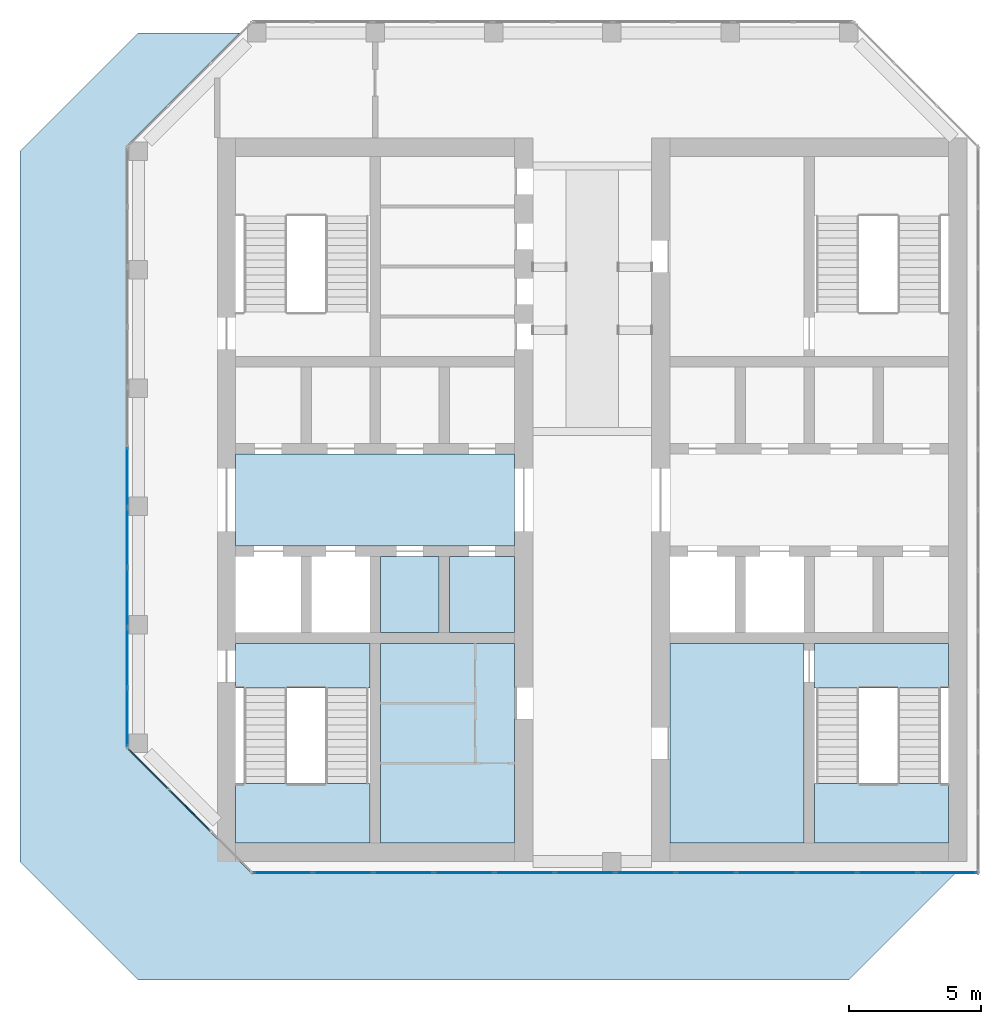
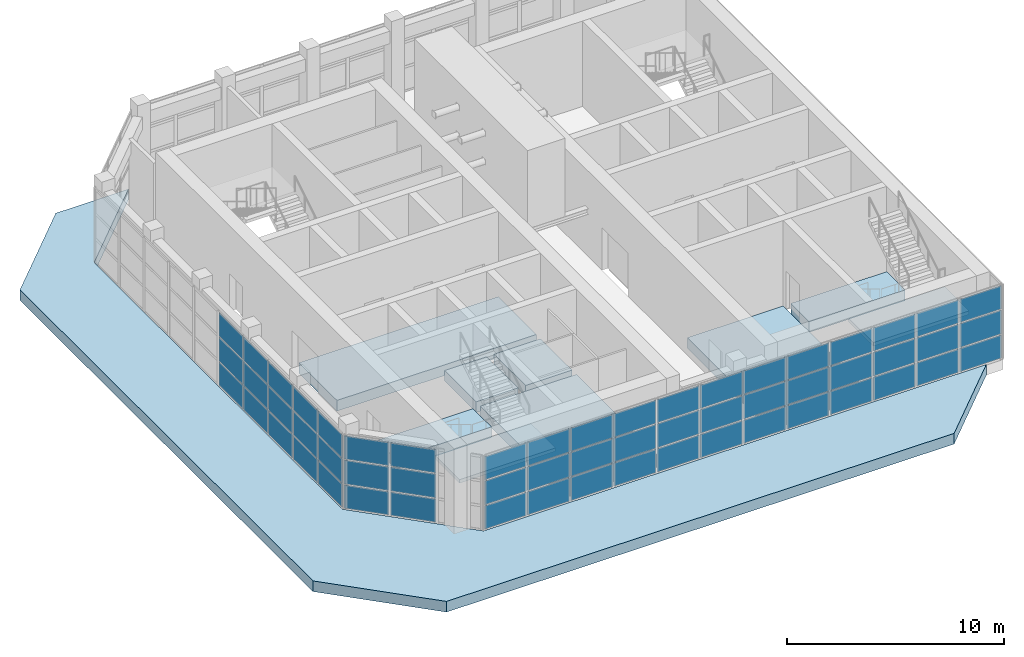
# One storey, part 7 of 13: 57 plates, 10 slabs, 5 elements without a shape of their own.
"""IFC4 building model written with IfcOpenShell, lengths in metres."""

from ifc_helpers import new_model, si_unit, direction, frame, origin, origin_2d, place, context, subcontext, project, spatial, polyline, rectangle, outline, extrude, material, layer, layer_set, type_object, element, aggregate, save


model = new_model("IFC4")

# Units and contexts
model_context = context("Model", 3, precision=1e-05, world=origin(), true_north=direction((0.0, 1.0)))
body_context = subcontext(model_context, "Body", "Model", "MODEL_VIEW")
ifc_project = project(units=[si_unit("LENGTHUNIT", "METRE"), si_unit("AREAUNIT", "SQUARE_METRE"), si_unit("VOLUMEUNIT", "CUBIC_METRE"), si_unit("PLANEANGLEUNIT", "RADIAN"), si_unit("MASSUNIT", "GRAM", prefix="KILO")], contexts=[model_context])

# Site, building, storey
site_placement = place(None, origin())
site = spatial("IfcSite", under=ifc_project, at=site_placement, CompositionType="ELEMENT")
building_placement = place(site_placement, origin())
building = spatial("IfcBuilding", under=site, at=building_placement, Name="Corbel Stack Research Tower", CompositionType="ELEMENT")
storey_placement = place(building_placement, frame((0.0, 0.0, 311.800048828125)))
storey = spatial("IfcBuildingStorey", under=building, at=storey_placement, Name="L70", CompositionType="ELEMENT", Elevation=311.800048828125)

# Curtain wall, plates
ifc_material_1 = material(Name="Aluminium and glass", Category="aluminium")
curtain_wall_type = type_object("IfcCurtainWallType", Name="CW4C damper hall glazing wall, corner", PredefinedType="NOTDEFINED", material=ifc_material_1)
curtain_wall_1_placement = place(storey_placement, origin())
curtain_wall_1 = element("IfcCurtainWall", 1, at=curtain_wall_1_placement, inside=storey, type_object=curtain_wall_type, Name="Damper hall curtain wall L70 1", PredefinedType="NOTDEFINED")
ifc_material_2 = material(Name="Glass, laminated amber tint", Category="glass")
ifc_layer_1 = layer(ifc_material_2, 0.031982421875)
ifc_layer_set_1 = layer_set([ifc_layer_1], Name="Glass, laminated amber tint")
plate_type = type_object("IfcPlateType", Name="CW4 amber laminated glass panel 32", PredefinedType="CURTAIN_PANEL", material=ifc_layer_set_1)
plate_1_placement = place(storey_placement, frame((-11.547119140625, -7.047119140625, 0.059814453125), z_axis=(0.0, 0.0, 1.0), x_axis=(-0.707106781187, 0.707106781187, 0.0)))
plate_1 = element("IfcPlate", 2, at=plate_1_placement, type_object=plate_type, Name="CW4C panel 2.1", PredefinedType="CURTAIN_PANEL", context=body_context, shape_type="SweptSolid", body=[
    extrude(rectangle(XDim=2.17724609375, YDim=0.031982421875, at=origin_2d()), origin(), (0.0, 0.0, 1.0), 1.31005859375),
])
plate_2_placement = place(storey_placement, frame((-11.547119140625, -7.047119140625, 1.4296875), z_axis=(0.0, 0.0, 1.0), x_axis=(-0.707106781187, 0.707106781187, 0.0)))
plate_2 = element("IfcPlate", 3, at=plate_2_placement, type_object=plate_type, Name="CW4C panel 2.2", PredefinedType="CURTAIN_PANEL", context=body_context, shape_type="SweptSolid", body=[
    extrude(rectangle(XDim=2.17724609375, YDim=0.031982421875, at=origin_2d()), origin(), (0.0, 0.0, 1.0), 1.340087890625),
])
plate_3_placement = place(storey_placement, frame((-11.547119140625, -7.047119140625, 2.829833984375), z_axis=(0.0, 0.0, 1.0), x_axis=(-0.707106781187, 0.707106781187, 0.0)))
plate_3 = element("IfcPlate", 4, at=plate_3_placement, type_object=plate_type, Name="CW4C panel 2.3", PredefinedType="CURTAIN_PANEL", context=body_context, shape_type="SweptSolid", body=[
    extrude(rectangle(XDim=2.17724609375, YDim=0.031982421875, at=origin_2d()), origin(), (0.0, 0.0, 1.0), 1.31005859375),
])
plate_4_placement = place(storey_placement, frame((-13.118408203125, -5.4755859375, 0.059814453125), z_axis=(0.0, 0.0, 1.0), x_axis=(-0.707106781187, 0.707106781187, 0.0)))
plate_4 = element("IfcPlate", 5, at=plate_4_placement, type_object=plate_type, Name="CW4C panel 3.1", PredefinedType="CURTAIN_PANEL", context=body_context, shape_type="SweptSolid", body=[
    extrude(rectangle(XDim=2.147216796875, YDim=0.031982421875, at=origin_2d()), origin(), (0.0, 0.0, 1.0), 1.31005859375),
])
plate_5_placement = place(storey_placement, frame((-13.118408203125, -5.4755859375, 1.4296875), z_axis=(0.0, 0.0, 1.0), x_axis=(-0.707106781187, 0.707106781187, 0.0)))
plate_5 = element("IfcPlate", 6, at=plate_5_placement, type_object=plate_type, Name="CW4C panel 3.2", PredefinedType="CURTAIN_PANEL", context=body_context, shape_type="SweptSolid", body=[
    extrude(rectangle(XDim=2.147216796875, YDim=0.031982421875, at=origin_2d()), origin(), (0.0, 0.0, 1.0), 1.340087890625),
])
plate_6_placement = place(storey_placement, frame((-13.118408203125, -5.4755859375, 2.829833984375), z_axis=(0.0, 0.0, 1.0), x_axis=(-0.707106781187, 0.707106781187, 0.0)))
plate_6 = element("IfcPlate", 7, at=plate_6_placement, type_object=plate_type, Name="CW4C panel 3.3", PredefinedType="CURTAIN_PANEL", context=body_context, shape_type="SweptSolid", body=[
    extrude(rectangle(XDim=2.147216796875, YDim=0.031982421875, at=origin_2d()), origin(), (0.0, 0.0, 1.0), 1.31005859375),
])
aggregate(curtain_wall_1, [plate_1, plate_2, plate_3, plate_4, plate_5, plate_6])

curtain_wall_2_placement = place(storey_placement, origin())
curtain_wall_2 = element("IfcCurtainWall", 8, at=curtain_wall_2_placement, inside=storey, type_object=curtain_wall_type, Name="Damper hall curtain wall L70 2", PredefinedType="NOTDEFINED")
plate_7_placement = place(storey_placement, frame((-13.919921875, -3.5166015625, 0.059814453125), z_axis=(0.0, 0.0, 1.0), x_axis=(0.0, 1.0, 0.0)))
plate_7 = element("IfcPlate", 9, at=plate_7_placement, type_object=plate_type, Name="CW4C panel 1.1", PredefinedType="CURTAIN_PANEL", context=body_context, shape_type="SweptSolid", body=[
    extrude(rectangle(XDim=2.19482421875, YDim=0.031982421875, at=origin_2d()), origin(), (0.0, 0.0, 1.0), 1.31005859375),
])
plate_8_placement = place(storey_placement, frame((-13.919921875, -3.5166015625, 1.4296875), z_axis=(0.0, 0.0, 1.0), x_axis=(0.0, 1.0, 0.0)))
plate_8 = element("IfcPlate", 10, at=plate_8_placement, type_object=plate_type, Name="CW4C panel 1.2", PredefinedType="CURTAIN_PANEL", context=body_context, shape_type="SweptSolid", body=[
    extrude(rectangle(XDim=2.19482421875, YDim=0.031982421875, at=origin_2d()), origin(), (0.0, 0.0, 1.0), 1.340087890625),
])
plate_9_placement = place(storey_placement, frame((-13.919921875, -3.5166015625, 2.829833984375), z_axis=(0.0, 0.0, 1.0), x_axis=(0.0, 1.0, 0.0)))
plate_9 = element("IfcPlate", 11, at=plate_9_placement, type_object=plate_type, Name="CW4C panel 1.3", PredefinedType="CURTAIN_PANEL", context=body_context, shape_type="SweptSolid", body=[
    extrude(rectangle(XDim=2.19482421875, YDim=0.031982421875, at=origin_2d()), origin(), (0.0, 0.0, 1.0), 1.31005859375),
])
plate_10_placement = place(storey_placement, frame((-13.919921875, -1.246826171875, 0.059814453125), z_axis=(0.0, 0.0, 1.0), x_axis=(0.0, 1.0, 0.0)))
plate_10 = element("IfcPlate", 12, at=plate_10_placement, type_object=plate_type, Name="CW4C panel 2.1", PredefinedType="CURTAIN_PANEL", context=body_context, shape_type="SweptSolid", body=[
    extrude(rectangle(XDim=2.224853515625, YDim=0.031982421875, at=origin_2d()), origin(), (0.0, 0.0, 1.0), 1.31005859375),
])
plate_11_placement = place(storey_placement, frame((-13.919921875, -1.246826171875, 1.4296875), z_axis=(0.0, 0.0, 1.0), x_axis=(0.0, 1.0, 0.0)))
plate_11 = element("IfcPlate", 13, at=plate_11_placement, type_object=plate_type, Name="CW4C panel 2.2", PredefinedType="CURTAIN_PANEL", context=body_context, shape_type="SweptSolid", body=[
    extrude(rectangle(XDim=2.224853515625, YDim=0.031982421875, at=origin_2d()), origin(), (0.0, 0.0, 1.0), 1.340087890625),
])
plate_12_placement = place(storey_placement, frame((-13.919921875, -1.246826171875, 2.829833984375), z_axis=(0.0, 0.0, 1.0), x_axis=(0.0, 1.0, 0.0)))
plate_12 = element("IfcPlate", 14, at=plate_12_placement, type_object=plate_type, Name="CW4C panel 2.3", PredefinedType="CURTAIN_PANEL", context=body_context, shape_type="SweptSolid", body=[
    extrude(rectangle(XDim=2.224853515625, YDim=0.031982421875, at=origin_2d()), origin(), (0.0, 0.0, 1.0), 1.31005859375),
])
plate_13_placement = place(storey_placement, frame((-13.919921875, 1.0380859375, 0.059814453125), z_axis=(0.0, 0.0, 1.0), x_axis=(0.0, 1.0, 0.0)))
plate_13 = element("IfcPlate", 15, at=plate_13_placement, type_object=plate_type, Name="CW4C panel 3.1", PredefinedType="CURTAIN_PANEL", context=body_context, shape_type="SweptSolid", body=[
    extrude(rectangle(XDim=2.224853515625, YDim=0.031982421875, at=origin_2d()), origin(), (0.0, 0.0, 1.0), 1.31005859375),
])
plate_14_placement = place(storey_placement, frame((-13.919921875, 1.0380859375, 1.4296875), z_axis=(0.0, 0.0, 1.0), x_axis=(0.0, 1.0, 0.0)))
plate_14 = element("IfcPlate", 16, at=plate_14_placement, type_object=plate_type, Name="CW4C panel 3.2", PredefinedType="CURTAIN_PANEL", context=body_context, shape_type="SweptSolid", body=[
    extrude(rectangle(XDim=2.224853515625, YDim=0.031982421875, at=origin_2d()), origin(), (0.0, 0.0, 1.0), 1.340087890625),
])
plate_15_placement = place(storey_placement, frame((-13.919921875, 1.0380859375, 2.829833984375), z_axis=(0.0, 0.0, 1.0), x_axis=(0.0, 1.0, 0.0)))
plate_15 = element("IfcPlate", 17, at=plate_15_placement, type_object=plate_type, Name="CW4C panel 3.3", PredefinedType="CURTAIN_PANEL", context=body_context, shape_type="SweptSolid", body=[
    extrude(rectangle(XDim=2.224853515625, YDim=0.031982421875, at=origin_2d()), origin(), (0.0, 0.0, 1.0), 1.31005859375),
])
plate_16_placement = place(storey_placement, frame((-13.919921875, 3.32275390625, 0.059814453125), z_axis=(0.0, 0.0, 1.0), x_axis=(0.0, 1.0, 0.0)))
plate_16 = element("IfcPlate", 18, at=plate_16_placement, type_object=plate_type, Name="CW4C panel 4.1", PredefinedType="CURTAIN_PANEL", context=body_context, shape_type="SweptSolid", body=[
    extrude(rectangle(XDim=2.224853515625, YDim=0.031982421875, at=origin_2d()), origin(), (0.0, 0.0, 1.0), 1.31005859375),
])
plate_17_placement = place(storey_placement, frame((-13.919921875, 3.32275390625, 1.4296875), z_axis=(0.0, 0.0, 1.0), x_axis=(0.0, 1.0, 0.0)))
plate_17 = element("IfcPlate", 19, at=plate_17_placement, type_object=plate_type, Name="CW4C panel 4.2", PredefinedType="CURTAIN_PANEL", context=body_context, shape_type="SweptSolid", body=[
    extrude(rectangle(XDim=2.224853515625, YDim=0.031982421875, at=origin_2d()), origin(), (0.0, 0.0, 1.0), 1.340087890625),
])
plate_18_placement = place(storey_placement, frame((-13.919921875, 3.32275390625, 2.829833984375), z_axis=(0.0, 0.0, 1.0), x_axis=(0.0, 1.0, 0.0)))
plate_18 = element("IfcPlate", 20, at=plate_18_placement, type_object=plate_type, Name="CW4C panel 4.3", PredefinedType="CURTAIN_PANEL", context=body_context, shape_type="SweptSolid", body=[
    extrude(rectangle(XDim=2.224853515625, YDim=0.031982421875, at=origin_2d()), origin(), (0.0, 0.0, 1.0), 1.31005859375),
])
plate_19_placement = place(storey_placement, frame((-13.919921875, 5.607666015625, 0.059814453125), z_axis=(0.0, 0.0, 1.0), x_axis=(0.0, 1.0, 0.0)))
plate_19 = element("IfcPlate", 21, at=plate_19_placement, type_object=plate_type, Name="CW4C panel 5.1", PredefinedType="CURTAIN_PANEL", context=body_context, shape_type="SweptSolid", body=[
    extrude(rectangle(XDim=2.224853515625, YDim=0.031982421875, at=origin_2d()), origin(), (0.0, 0.0, 1.0), 1.31005859375),
])
plate_20_placement = place(storey_placement, frame((-13.919921875, 5.607666015625, 1.4296875), z_axis=(0.0, 0.0, 1.0), x_axis=(0.0, 1.0, 0.0)))
plate_20 = element("IfcPlate", 22, at=plate_20_placement, type_object=plate_type, Name="CW4C panel 5.2", PredefinedType="CURTAIN_PANEL", context=body_context, shape_type="SweptSolid", body=[
    extrude(rectangle(XDim=2.224853515625, YDim=0.031982421875, at=origin_2d()), origin(), (0.0, 0.0, 1.0), 1.340087890625),
])
plate_21_placement = place(storey_placement, frame((-13.919921875, 5.607666015625, 2.829833984375), z_axis=(0.0, 0.0, 1.0), x_axis=(0.0, 1.0, 0.0)))
plate_21 = element("IfcPlate", 23, at=plate_21_placement, type_object=plate_type, Name="CW4C panel 5.3", PredefinedType="CURTAIN_PANEL", context=body_context, shape_type="SweptSolid", body=[
    extrude(rectangle(XDim=2.224853515625, YDim=0.031982421875, at=origin_2d()), origin(), (0.0, 0.0, 1.0), 1.31005859375),
])
aggregate(curtain_wall_2, [plate_7, plate_8, plate_9, plate_10, plate_11, plate_12, plate_13, plate_14, plate_15, plate_16, plate_17, plate_18, plate_19, plate_20, plate_21])

curtain_wall_3_placement = place(storey_placement, origin())
curtain_wall_3 = element("IfcCurtainWall", 24, at=curtain_wall_3_placement, inside=storey, type_object=curtain_wall_type, Name="Damper hall curtain wall L70 7", PredefinedType="NOTDEFINED")
plate_22_placement = place(storey_placement, frame((17.25537109375, -9.419921875, 0.059814453125), z_axis=(0.0, 0.0, 1.0), x_axis=(-1.0, 0.0, 0.0)))
plate_22 = element("IfcPlate", 25, at=plate_22_placement, type_object=plate_type, Name="CW4C panel 1.1", PredefinedType="CURTAIN_PANEL", context=body_context, shape_type="SweptSolid", body=[
    extrude(rectangle(XDim=2.20947265625, YDim=0.031982421875, at=origin_2d()), origin(), (0.0, 0.0, 1.0), 1.31005859375),
])
plate_23_placement = place(storey_placement, frame((17.25537109375, -9.419921875, 1.4296875), z_axis=(0.0, 0.0, 1.0), x_axis=(-1.0, 0.0, 0.0)))
plate_23 = element("IfcPlate", 26, at=plate_23_placement, type_object=plate_type, Name="CW4C panel 1.2", PredefinedType="CURTAIN_PANEL", context=body_context, shape_type="SweptSolid", body=[
    extrude(rectangle(XDim=2.20947265625, YDim=0.031982421875, at=origin_2d()), origin(), (0.0, 0.0, 1.0), 1.340087890625),
])
plate_24_placement = place(storey_placement, frame((17.25537109375, -9.419921875, 2.829833984375), z_axis=(0.0, 0.0, 1.0), x_axis=(-1.0, 0.0, 0.0)))
plate_24 = element("IfcPlate", 27, at=plate_24_placement, type_object=plate_type, Name="CW4C panel 1.3", PredefinedType="CURTAIN_PANEL", context=body_context, shape_type="SweptSolid", body=[
    extrude(rectangle(XDim=2.20947265625, YDim=0.031982421875, at=origin_2d()), origin(), (0.0, 0.0, 1.0), 1.31005859375),
])
plate_25_placement = place(storey_placement, frame((14.970703125, -9.419921875, 0.059814453125), z_axis=(0.0, 0.0, 1.0), x_axis=(-1.0, 0.0, 0.0)))
plate_25 = element("IfcPlate", 28, at=plate_25_placement, type_object=plate_type, Name="CW4C panel 2.1", PredefinedType="CURTAIN_PANEL", context=body_context, shape_type="SweptSolid", body=[
    extrude(rectangle(XDim=2.239501953125, YDim=0.031982421875, at=origin_2d()), origin(), (0.0, 0.0, 1.0), 1.31005859375),
])
plate_26_placement = place(storey_placement, frame((14.970703125, -9.419921875, 1.4296875), z_axis=(0.0, 0.0, 1.0), x_axis=(-1.0, 0.0, 0.0)))
plate_26 = element("IfcPlate", 29, at=plate_26_placement, type_object=plate_type, Name="CW4C panel 2.2", PredefinedType="CURTAIN_PANEL", context=body_context, shape_type="SweptSolid", body=[
    extrude(rectangle(XDim=2.239501953125, YDim=0.031982421875, at=origin_2d()), origin(), (0.0, 0.0, 1.0), 1.340087890625),
])
plate_27_placement = place(storey_placement, frame((14.970703125, -9.419921875, 2.829833984375), z_axis=(0.0, 0.0, 1.0), x_axis=(-1.0, 0.0, 0.0)))
plate_27 = element("IfcPlate", 30, at=plate_27_placement, type_object=plate_type, Name="CW4C panel 2.3", PredefinedType="CURTAIN_PANEL", context=body_context, shape_type="SweptSolid", body=[
    extrude(rectangle(XDim=2.239501953125, YDim=0.031982421875, at=origin_2d()), origin(), (0.0, 0.0, 1.0), 1.31005859375),
])
plate_28_placement = place(storey_placement, frame((12.671142578125, -9.419921875, 0.059814453125), z_axis=(0.0, 0.0, 1.0), x_axis=(-1.0, 0.0, 0.0)))
plate_28 = element("IfcPlate", 31, at=plate_28_placement, type_object=plate_type, Name="CW4C panel 3.1", PredefinedType="CURTAIN_PANEL", context=body_context, shape_type="SweptSolid", body=[
    extrude(rectangle(XDim=2.239501953125, YDim=0.031982421875, at=origin_2d()), origin(), (0.0, 0.0, 1.0), 1.31005859375),
])
plate_29_placement = place(storey_placement, frame((12.671142578125, -9.419921875, 1.4296875), z_axis=(0.0, 0.0, 1.0), x_axis=(-1.0, 0.0, 0.0)))
plate_29 = element("IfcPlate", 32, at=plate_29_placement, type_object=plate_type, Name="CW4C panel 3.2", PredefinedType="CURTAIN_PANEL", context=body_context, shape_type="SweptSolid", body=[
    extrude(rectangle(XDim=2.239501953125, YDim=0.031982421875, at=origin_2d()), origin(), (0.0, 0.0, 1.0), 1.340087890625),
])
plate_30_placement = place(storey_placement, frame((12.671142578125, -9.419921875, 2.829833984375), z_axis=(0.0, 0.0, 1.0), x_axis=(-1.0, 0.0, 0.0)))
plate_30 = element("IfcPlate", 33, at=plate_30_placement, type_object=plate_type, Name="CW4C panel 3.3", PredefinedType="CURTAIN_PANEL", context=body_context, shape_type="SweptSolid", body=[
    extrude(rectangle(XDim=2.239501953125, YDim=0.031982421875, at=origin_2d()), origin(), (0.0, 0.0, 1.0), 1.31005859375),
])
plate_31_placement = place(storey_placement, frame((10.371826171875, -9.419921875, 0.059814453125), z_axis=(0.0, 0.0, 1.0), x_axis=(-1.0, 0.0, 0.0)))
plate_31 = element("IfcPlate", 34, at=plate_31_placement, type_object=plate_type, Name="CW4C panel 4.1", PredefinedType="CURTAIN_PANEL", context=body_context, shape_type="SweptSolid", body=[
    extrude(rectangle(XDim=2.239501953125, YDim=0.031982421875, at=origin_2d()), origin(), (0.0, 0.0, 1.0), 1.31005859375),
])
plate_32_placement = place(storey_placement, frame((10.371826171875, -9.419921875, 1.4296875), z_axis=(0.0, 0.0, 1.0), x_axis=(-1.0, 0.0, 0.0)))
plate_32 = element("IfcPlate", 35, at=plate_32_placement, type_object=plate_type, Name="CW4C panel 4.2", PredefinedType="CURTAIN_PANEL", context=body_context, shape_type="SweptSolid", body=[
    extrude(rectangle(XDim=2.239501953125, YDim=0.031982421875, at=origin_2d()), origin(), (0.0, 0.0, 1.0), 1.340087890625),
])
plate_33_placement = place(storey_placement, frame((10.371826171875, -9.419921875, 2.829833984375), z_axis=(0.0, 0.0, 1.0), x_axis=(-1.0, 0.0, 0.0)))
plate_33 = element("IfcPlate", 36, at=plate_33_placement, type_object=plate_type, Name="CW4C panel 4.3", PredefinedType="CURTAIN_PANEL", context=body_context, shape_type="SweptSolid", body=[
    extrude(rectangle(XDim=2.239501953125, YDim=0.031982421875, at=origin_2d()), origin(), (0.0, 0.0, 1.0), 1.31005859375),
])
plate_34_placement = place(storey_placement, frame((8.072265625, -9.419921875, 0.059814453125), z_axis=(0.0, 0.0, 1.0), x_axis=(-1.0, 0.0, 0.0)))
plate_34 = element("IfcPlate", 37, at=plate_34_placement, type_object=plate_type, Name="CW4C panel 5.1", PredefinedType="CURTAIN_PANEL", context=body_context, shape_type="SweptSolid", body=[
    extrude(rectangle(XDim=2.239501953125, YDim=0.031982421875, at=origin_2d()), origin(), (0.0, 0.0, 1.0), 1.31005859375),
])
plate_35_placement = place(storey_placement, frame((8.072265625, -9.419921875, 1.4296875), z_axis=(0.0, 0.0, 1.0), x_axis=(-1.0, 0.0, 0.0)))
plate_35 = element("IfcPlate", 38, at=plate_35_placement, type_object=plate_type, Name="CW4C panel 5.2", PredefinedType="CURTAIN_PANEL", context=body_context, shape_type="SweptSolid", body=[
    extrude(rectangle(XDim=2.239501953125, YDim=0.031982421875, at=origin_2d()), origin(), (0.0, 0.0, 1.0), 1.340087890625),
])
plate_36_placement = place(storey_placement, frame((8.072265625, -9.419921875, 2.829833984375), z_axis=(0.0, 0.0, 1.0), x_axis=(-1.0, 0.0, 0.0)))
plate_36 = element("IfcPlate", 39, at=plate_36_placement, type_object=plate_type, Name="CW4C panel 5.3", PredefinedType="CURTAIN_PANEL", context=body_context, shape_type="SweptSolid", body=[
    extrude(rectangle(XDim=2.239501953125, YDim=0.031982421875, at=origin_2d()), origin(), (0.0, 0.0, 1.0), 1.31005859375),
])
plate_37_placement = place(storey_placement, frame((5.772705078125, -9.419921875, 0.059814453125), z_axis=(0.0, 0.0, 1.0), x_axis=(-1.0, 0.0, 0.0)))
plate_37 = element("IfcPlate", 40, at=plate_37_placement, type_object=plate_type, Name="CW4C panel 6.1", PredefinedType="CURTAIN_PANEL", context=body_context, shape_type="SweptSolid", body=[
    extrude(rectangle(XDim=2.239501953125, YDim=0.031982421875, at=origin_2d()), origin(), (0.0, 0.0, 1.0), 1.31005859375),
])
plate_38_placement = place(storey_placement, frame((5.772705078125, -9.419921875, 1.4296875), z_axis=(0.0, 0.0, 1.0), x_axis=(-1.0, 0.0, 0.0)))
plate_38 = element("IfcPlate", 41, at=plate_38_placement, type_object=plate_type, Name="CW4C panel 6.2", PredefinedType="CURTAIN_PANEL", context=body_context, shape_type="SweptSolid", body=[
    extrude(rectangle(XDim=2.239501953125, YDim=0.031982421875, at=origin_2d()), origin(), (0.0, 0.0, 1.0), 1.340087890625),
])
plate_39_placement = place(storey_placement, frame((5.772705078125, -9.419921875, 2.829833984375), z_axis=(0.0, 0.0, 1.0), x_axis=(-1.0, 0.0, 0.0)))
plate_39 = element("IfcPlate", 42, at=plate_39_placement, type_object=plate_type, Name="CW4C panel 6.3", PredefinedType="CURTAIN_PANEL", context=body_context, shape_type="SweptSolid", body=[
    extrude(rectangle(XDim=2.239501953125, YDim=0.031982421875, at=origin_2d()), origin(), (0.0, 0.0, 1.0), 1.31005859375),
])
plate_40_placement = place(storey_placement, frame((3.47314453125, -9.419921875, 0.059814453125), z_axis=(0.0, 0.0, 1.0), x_axis=(-1.0, 0.0, 0.0)))
plate_40 = element("IfcPlate", 43, at=plate_40_placement, type_object=plate_type, Name="CW4C panel 7.1", PredefinedType="CURTAIN_PANEL", context=body_context, shape_type="SweptSolid", body=[
    extrude(rectangle(XDim=2.239501953125, YDim=0.031982421875, at=origin_2d()), origin(), (0.0, 0.0, 1.0), 1.31005859375),
])
plate_41_placement = place(storey_placement, frame((3.47314453125, -9.419921875, 1.4296875), z_axis=(0.0, 0.0, 1.0), x_axis=(-1.0, 0.0, 0.0)))
plate_41 = element("IfcPlate", 44, at=plate_41_placement, type_object=plate_type, Name="CW4C panel 7.2", PredefinedType="CURTAIN_PANEL", context=body_context, shape_type="SweptSolid", body=[
    extrude(rectangle(XDim=2.239501953125, YDim=0.031982421875, at=origin_2d()), origin(), (0.0, 0.0, 1.0), 1.340087890625),
])
plate_42_placement = place(storey_placement, frame((3.47314453125, -9.419921875, 2.829833984375), z_axis=(0.0, 0.0, 1.0), x_axis=(-1.0, 0.0, 0.0)))
plate_42 = element("IfcPlate", 45, at=plate_42_placement, type_object=plate_type, Name="CW4C panel 7.3", PredefinedType="CURTAIN_PANEL", context=body_context, shape_type="SweptSolid", body=[
    extrude(rectangle(XDim=2.239501953125, YDim=0.031982421875, at=origin_2d()), origin(), (0.0, 0.0, 1.0), 1.31005859375),
])
plate_43_placement = place(storey_placement, frame((1.173828125, -9.419921875, 0.059814453125), z_axis=(0.0, 0.0, 1.0), x_axis=(-1.0, 0.0, 0.0)))
plate_43 = element("IfcPlate", 46, at=plate_43_placement, type_object=plate_type, Name="CW4C panel 8.1", PredefinedType="CURTAIN_PANEL", context=body_context, shape_type="SweptSolid", body=[
    extrude(rectangle(XDim=2.239501953125, YDim=0.031982421875, at=origin_2d()), origin(), (0.0, 0.0, 1.0), 1.31005859375),
])
plate_44_placement = place(storey_placement, frame((1.173828125, -9.419921875, 1.4296875), z_axis=(0.0, 0.0, 1.0), x_axis=(-1.0, 0.0, 0.0)))
plate_44 = element("IfcPlate", 47, at=plate_44_placement, type_object=plate_type, Name="CW4C panel 8.2", PredefinedType="CURTAIN_PANEL", context=body_context, shape_type="SweptSolid", body=[
    extrude(rectangle(XDim=2.239501953125, YDim=0.031982421875, at=origin_2d()), origin(), (0.0, 0.0, 1.0), 1.340087890625),
])
plate_45_placement = place(storey_placement, frame((1.173828125, -9.419921875, 2.829833984375), z_axis=(0.0, 0.0, 1.0), x_axis=(-1.0, 0.0, 0.0)))
plate_45 = element("IfcPlate", 48, at=plate_45_placement, type_object=plate_type, Name="CW4C panel 8.3", PredefinedType="CURTAIN_PANEL", context=body_context, shape_type="SweptSolid", body=[
    extrude(rectangle(XDim=2.239501953125, YDim=0.031982421875, at=origin_2d()), origin(), (0.0, 0.0, 1.0), 1.31005859375),
])
plate_46_placement = place(storey_placement, frame((-1.125732421875, -9.419921875, 0.059814453125), z_axis=(0.0, 0.0, 1.0), x_axis=(-1.0, 0.0, 0.0)))
plate_46 = element("IfcPlate", 49, at=plate_46_placement, type_object=plate_type, Name="CW4C panel 9.1", PredefinedType="CURTAIN_PANEL", context=body_context, shape_type="SweptSolid", body=[
    extrude(rectangle(XDim=2.239501953125, YDim=0.031982421875, at=origin_2d()), origin(), (0.0, 0.0, 1.0), 1.31005859375),
])
plate_47_placement = place(storey_placement, frame((-1.125732421875, -9.419921875, 1.4296875), z_axis=(0.0, 0.0, 1.0), x_axis=(-1.0, 0.0, 0.0)))
plate_47 = element("IfcPlate", 50, at=plate_47_placement, type_object=plate_type, Name="CW4C panel 9.2", PredefinedType="CURTAIN_PANEL", context=body_context, shape_type="SweptSolid", body=[
    extrude(rectangle(XDim=2.239501953125, YDim=0.031982421875, at=origin_2d()), origin(), (0.0, 0.0, 1.0), 1.340087890625),
])
plate_48_placement = place(storey_placement, frame((-1.125732421875, -9.419921875, 2.829833984375), z_axis=(0.0, 0.0, 1.0), x_axis=(-1.0, 0.0, 0.0)))
plate_48 = element("IfcPlate", 51, at=plate_48_placement, type_object=plate_type, Name="CW4C panel 9.3", PredefinedType="CURTAIN_PANEL", context=body_context, shape_type="SweptSolid", body=[
    extrude(rectangle(XDim=2.239501953125, YDim=0.031982421875, at=origin_2d()), origin(), (0.0, 0.0, 1.0), 1.31005859375),
])
plate_49_placement = place(storey_placement, frame((-3.42529296875, -9.419921875, 0.059814453125), z_axis=(0.0, 0.0, 1.0), x_axis=(-1.0, 0.0, 0.0)))
plate_49 = element("IfcPlate", 52, at=plate_49_placement, type_object=plate_type, Name="CW4C panel 10.1", PredefinedType="CURTAIN_PANEL", context=body_context, shape_type="SweptSolid", body=[
    extrude(rectangle(XDim=2.239501953125, YDim=0.031982421875, at=origin_2d()), origin(), (0.0, 0.0, 1.0), 1.31005859375),
])
plate_50_placement = place(storey_placement, frame((-3.42529296875, -9.419921875, 1.4296875), z_axis=(0.0, 0.0, 1.0), x_axis=(-1.0, 0.0, 0.0)))
plate_50 = element("IfcPlate", 53, at=plate_50_placement, type_object=plate_type, Name="CW4C panel 10.2", PredefinedType="CURTAIN_PANEL", context=body_context, shape_type="SweptSolid", body=[
    extrude(rectangle(XDim=2.239501953125, YDim=0.031982421875, at=origin_2d()), origin(), (0.0, 0.0, 1.0), 1.340087890625),
])
plate_51_placement = place(storey_placement, frame((-3.42529296875, -9.419921875, 2.829833984375), z_axis=(0.0, 0.0, 1.0), x_axis=(-1.0, 0.0, 0.0)))
plate_51 = element("IfcPlate", 54, at=plate_51_placement, type_object=plate_type, Name="CW4C panel 10.3", PredefinedType="CURTAIN_PANEL", context=body_context, shape_type="SweptSolid", body=[
    extrude(rectangle(XDim=2.239501953125, YDim=0.031982421875, at=origin_2d()), origin(), (0.0, 0.0, 1.0), 1.31005859375),
])
plate_52_placement = place(storey_placement, frame((-5.724853515625, -9.419921875, 0.059814453125), z_axis=(0.0, 0.0, 1.0), x_axis=(-1.0, 0.0, 0.0)))
plate_52 = element("IfcPlate", 55, at=plate_52_placement, type_object=plate_type, Name="CW4C panel 11.1", PredefinedType="CURTAIN_PANEL", context=body_context, shape_type="SweptSolid", body=[
    extrude(rectangle(XDim=2.239501953125, YDim=0.031982421875, at=origin_2d()), origin(), (0.0, 0.0, 1.0), 1.31005859375),
])
plate_53_placement = place(storey_placement, frame((-5.724853515625, -9.419921875, 1.4296875), z_axis=(0.0, 0.0, 1.0), x_axis=(-1.0, 0.0, 0.0)))
plate_53 = element("IfcPlate", 56, at=plate_53_placement, type_object=plate_type, Name="CW4C panel 11.2", PredefinedType="CURTAIN_PANEL", context=body_context, shape_type="SweptSolid", body=[
    extrude(rectangle(XDim=2.239501953125, YDim=0.031982421875, at=origin_2d()), origin(), (0.0, 0.0, 1.0), 1.340087890625),
])
plate_54_placement = place(storey_placement, frame((-5.724853515625, -9.419921875, 2.829833984375), z_axis=(0.0, 0.0, 1.0), x_axis=(-1.0, 0.0, 0.0)))
plate_54 = element("IfcPlate", 57, at=plate_54_placement, type_object=plate_type, Name="CW4C panel 11.3", PredefinedType="CURTAIN_PANEL", context=body_context, shape_type="SweptSolid", body=[
    extrude(rectangle(XDim=2.239501953125, YDim=0.031982421875, at=origin_2d()), origin(), (0.0, 0.0, 1.0), 1.31005859375),
])
plate_55_placement = place(storey_placement, frame((-8.00927734375, -9.419921875, 0.059814453125), z_axis=(0.0, 0.0, 1.0), x_axis=(-1.0, 0.0, 0.0)))
plate_55 = element("IfcPlate", 58, at=plate_55_placement, type_object=plate_type, Name="CW4C panel 12.1", PredefinedType="CURTAIN_PANEL", context=body_context, shape_type="SweptSolid", body=[
    extrude(rectangle(XDim=2.20947265625, YDim=0.031982421875, at=origin_2d()), origin(), (0.0, 0.0, 1.0), 1.31005859375),
])
plate_56_placement = place(storey_placement, frame((-8.00927734375, -9.419921875, 1.4296875), z_axis=(0.0, 0.0, 1.0), x_axis=(-1.0, 0.0, 0.0)))
plate_56 = element("IfcPlate", 59, at=plate_56_placement, type_object=plate_type, Name="CW4C panel 12.2", PredefinedType="CURTAIN_PANEL", context=body_context, shape_type="SweptSolid", body=[
    extrude(rectangle(XDim=2.20947265625, YDim=0.031982421875, at=origin_2d()), origin(), (0.0, 0.0, 1.0), 1.340087890625),
])
plate_57_placement = place(storey_placement, frame((-8.00927734375, -9.419921875, 2.829833984375), z_axis=(0.0, 0.0, 1.0), x_axis=(-1.0, 0.0, 0.0)))
plate_57 = element("IfcPlate", 60, at=plate_57_placement, type_object=plate_type, Name="CW4C panel 12.3", PredefinedType="CURTAIN_PANEL", context=body_context, shape_type="SweptSolid", body=[
    extrude(rectangle(XDim=2.20947265625, YDim=0.031982421875, at=origin_2d()), origin(), (0.0, 0.0, 1.0), 1.31005859375),
])
aggregate(curtain_wall_3, [plate_22, plate_23, plate_24, plate_25, plate_26, plate_27, plate_28, plate_29, plate_30, plate_31, plate_32, plate_33, plate_34, plate_35, plate_36, plate_37, plate_38, plate_39, plate_40, plate_41, plate_42, plate_43, plate_44, plate_45, plate_46, plate_47, plate_48, plate_49, plate_50, plate_51, plate_52, plate_53, plate_54, plate_55, plate_56, plate_57])

# Slabs
ifc_material_3 = material(Name="Concrete C45/55", Category="concrete")
ifc_layer_2 = layer(ifc_material_3, 0.60009765625)
ifc_layer_set_2 = layer_set([ifc_layer_2], Name="Concrete C45/55")
slab_type_1 = type_object("IfcSlabType", Name="PT-600", PredefinedType="FLOOR", material=ifc_layer_set_2)
slab_1_placement = place(storey_placement, frame((0.0, 0.0, -0.60009765625)))
element("IfcSlab", 61, at=slab_1_placement, inside=storey, type_object=slab_type_1, Name="West core floor L70", PredefinedType="FLOOR", context=body_context, shape_type="SweptSolid", body=[
    extrude(outline(polyline([(-9.800048828125, 6.5), (-9.800048828125, 3.0), (0.800048828125, 3.0), (0.800048828125, 6.5), (-9.800048828125, 6.5)])), origin(), (0.0, 0.0, 1.0), 0.60009765625),
])
slab_2_placement = place(storey_placement, frame((0.0, 0.0, -0.60009765625)))
element("IfcSlab", 62, at=slab_2_placement, inside=storey, type_object=slab_type_1, Name="West core floor L70", PredefinedType="FLOOR", context=body_context, shape_type="SweptSolid", body=[
    extrude(outline(polyline([(-4.300048828125, -0.699951171875), (-4.300048828125, -8.300048828125), (0.800048828125, -8.300048828125), (0.800048828125, -0.699951171875), (-4.300048828125, -0.699951171875)])), origin(), (0.0, 0.0, 1.0), 0.60009765625),
])
slab_3_placement = place(storey_placement, frame((0.0, 0.0, -0.60009765625)))
element("IfcSlab", 63, at=slab_3_placement, inside=storey, type_object=slab_type_1, Name="West core floor L70", PredefinedType="FLOOR", context=body_context, shape_type="SweptSolid", body=[
    extrude(outline(polyline([(-4.300048828125, 2.60009765625), (-4.300048828125, -0.300048828125), (-2.074951171875, -0.300048828125), (-2.074951171875, 2.60009765625), (-4.300048828125, 2.60009765625)])), origin(), (0.0, 0.0, 1.0), 0.60009765625),
])
slab_4_placement = place(storey_placement, frame((0.0, 0.0, -0.60009765625)))
element("IfcSlab", 64, at=slab_4_placement, inside=storey, type_object=slab_type_1, Name="West core floor L70", PredefinedType="FLOOR", context=body_context, shape_type="SweptSolid", body=[
    extrude(outline(polyline([(-1.675048828125, 2.60009765625), (-1.675048828125, -0.300048828125), (0.800048828125, -0.300048828125), (0.800048828125, 2.60009765625), (-1.675048828125, 2.60009765625)])), origin(), (0.0, 0.0, 1.0), 0.60009765625),
])
slab_5_placement = place(storey_placement, frame((0.0, 0.0, -0.60009765625)))
element("IfcSlab", 65, at=slab_5_placement, inside=storey, type_object=slab_type_1, Name="East core floor L70", PredefinedType="FLOOR", context=body_context, shape_type="SweptSolid", body=[
    extrude(outline(polyline([(6.699951171875, -8.300048828125), (11.800048828125, -8.300048828125), (11.800048828125, -0.699951171875), (6.699951171875, -0.699951171875), (6.699951171875, -8.300048828125)])), origin(), (0.0, 0.0, 1.0), 0.60009765625),
])
slab_6_placement = place(storey_placement, frame((0.0, 0.0, -0.60009765625)))
element("IfcSlab", 66, at=slab_6_placement, inside=storey, type_object=slab_type_1, Name="Stair floor landing ST-W1", PredefinedType="FLOOR", context=body_context, shape_type="SweptSolid", body=[
    extrude(outline(polyline([(-9.800048828125, -2.39990234375), (-4.699951171875, -2.39990234375), (-4.699951171875, -0.699951171875), (-9.800048828125, -0.699951171875), (-9.800048828125, -2.39990234375)])), origin(), (0.0, 0.0, 1.0), 0.60009765625),
])
slab_7_placement = place(storey_placement, frame((0.0, 0.0, -0.60009765625)))
element("IfcSlab", 67, at=slab_7_placement, inside=storey, type_object=slab_type_1, Name="Stair floor landing ST-E1", PredefinedType="FLOOR", context=body_context, shape_type="SweptSolid", body=[
    extrude(outline(polyline([(12.199951171875, -2.39990234375), (17.300048828125, -2.39990234375), (17.300048828125, -0.699951171875), (12.199951171875, -0.699951171875), (12.199951171875, -2.39990234375)])), origin(), (0.0, 0.0, 1.0), 0.60009765625),
])

# Stair, slab
ifc_material_4 = material(Name="Concrete C40/50", Category="concrete")
stair_type = type_object("IfcStairType", Name="Exit stair 28 risers", PredefinedType="HALF_TURN_STAIR", material=ifc_material_4)
stair_1_placement = place(storey_placement, origin())
stair_1 = element("IfcStair", 68, at=stair_1_placement, inside=storey, type_object=stair_type, Name="L70 Exit stair ST-W1", PredefinedType="HALF_TURN_STAIR")
ifc_material_5 = material(Name="Concrete C40/50", Category="concrete")
ifc_layer_3 = layer(ifc_material_5, 0.199951171875)
ifc_layer_set_3 = layer_set([ifc_layer_3], Name="Concrete C40/50")
slab_type_2 = type_object("IfcSlabType", Name="Stair landing 200 C40/50", PredefinedType="LANDING", material=ifc_layer_set_3)
slab_8_placement = place(storey_placement, frame((0.0, 0.0, 2.199951171875)))
slab_8 = element("IfcSlab", 69, at=slab_8_placement, type_object=slab_type_2, Name="ST-W1 landing 1", PredefinedType="LANDING", context=body_context, shape_type="SweptSolid", body=[
    extrude(outline(polyline([(-9.800048828125, -8.300048828125), (-9.800048828125, -6.0400390625), (-4.699951171875, -6.0400390625), (-4.699951171875, -8.300048828125), (-9.800048828125, -8.300048828125)])), origin(), (0.0, 0.0, 1.0), 0.199951171875),
])
aggregate(stair_1, [slab_8])

stair_2_placement = place(storey_placement, origin())
stair_2 = element("IfcStair", 70, at=stair_2_placement, inside=storey, type_object=stair_type, Name="L70 Exit stair ST-E1", PredefinedType="HALF_TURN_STAIR")
slab_9_placement = place(storey_placement, frame((0.0, 0.0, 2.199951171875)))
slab_9 = element("IfcSlab", 71, at=slab_9_placement, type_object=slab_type_2, Name="ST-E1 landing 1", PredefinedType="LANDING", context=body_context, shape_type="SweptSolid", body=[
    extrude(outline(polyline([(12.199951171875, -8.300048828125), (12.199951171875, -6.0400390625), (17.300048828125, -6.0400390625), (17.300048828125, -8.300048828125), (12.199951171875, -8.300048828125)])), origin(), (0.0, 0.0, 1.0), 0.199951171875),
])
aggregate(stair_2, [slab_9])

# Slab
ifc_material_6 = material(Name="Concrete C45/55", Category="concrete")
ifc_layer_4 = layer(ifc_material_6, 0.60009765625)
ifc_layer_set_4 = layer_set([ifc_layer_4], Name="Concrete C45/55")
slab_type_3 = type_object("IfcSlabType", Name="TS-600", PredefinedType="ROOF", material=ifc_layer_set_4)
slab_10_placement = place(storey_placement, frame((0.0, 0.0, -0.60009765625)))
element("IfcSlab", 72, at=slab_10_placement, inside=storey, type_object=slab_type_3, Name="Terrace slab L70", PredefinedType="ROOF", context=body_context, shape_type="SweptSolid", body=[
    extrude(outline(polyline([(17.550048828125, -9.449951171875), (-9.186279296875, -9.449951171875), (-13.949951171875, -4.686279296875), (-13.949951171875, 18.186279296875), (-9.636474609375, 22.5), (-13.5, 22.5), (-18.0, 18.0), (-18.0, -9.0), (-13.5, -13.5), (13.5, -13.5), (17.550048828125, -9.449951171875)])), origin(), (0.0, 0.0, 1.0), 0.60009765625),
])

save(model, "model.ifc")
